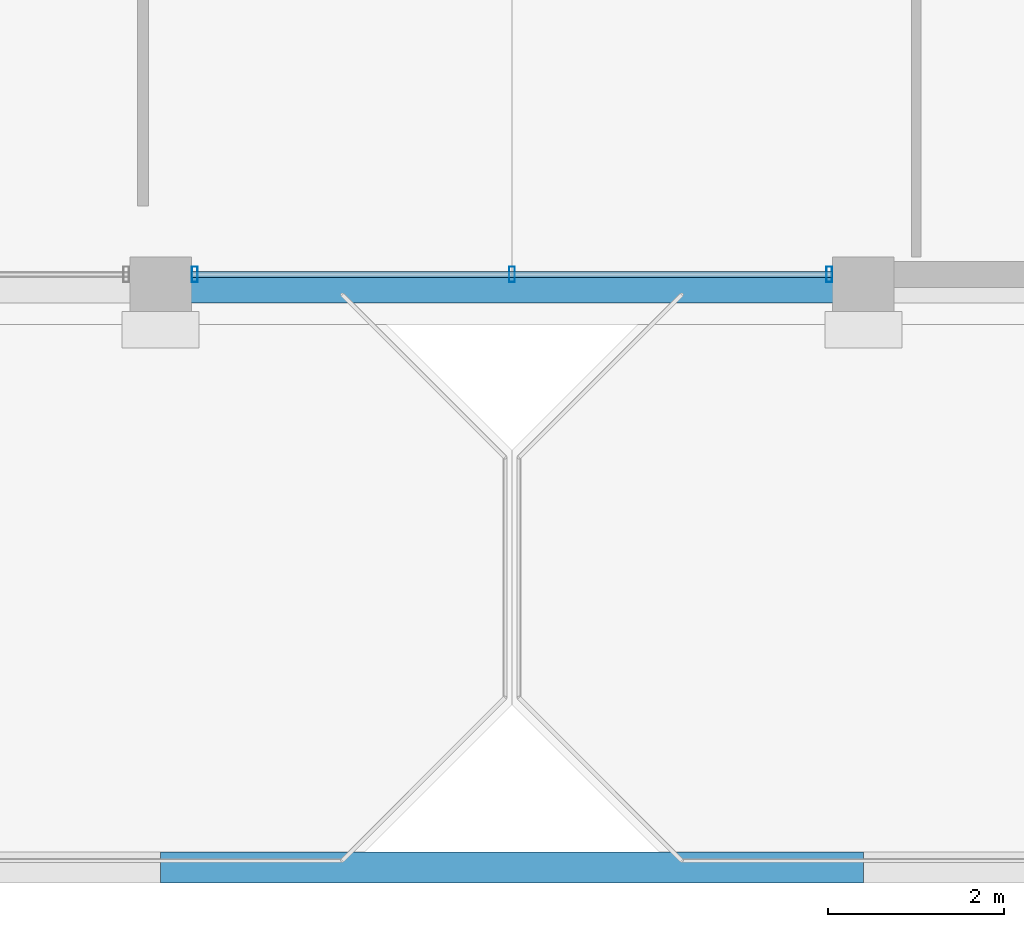
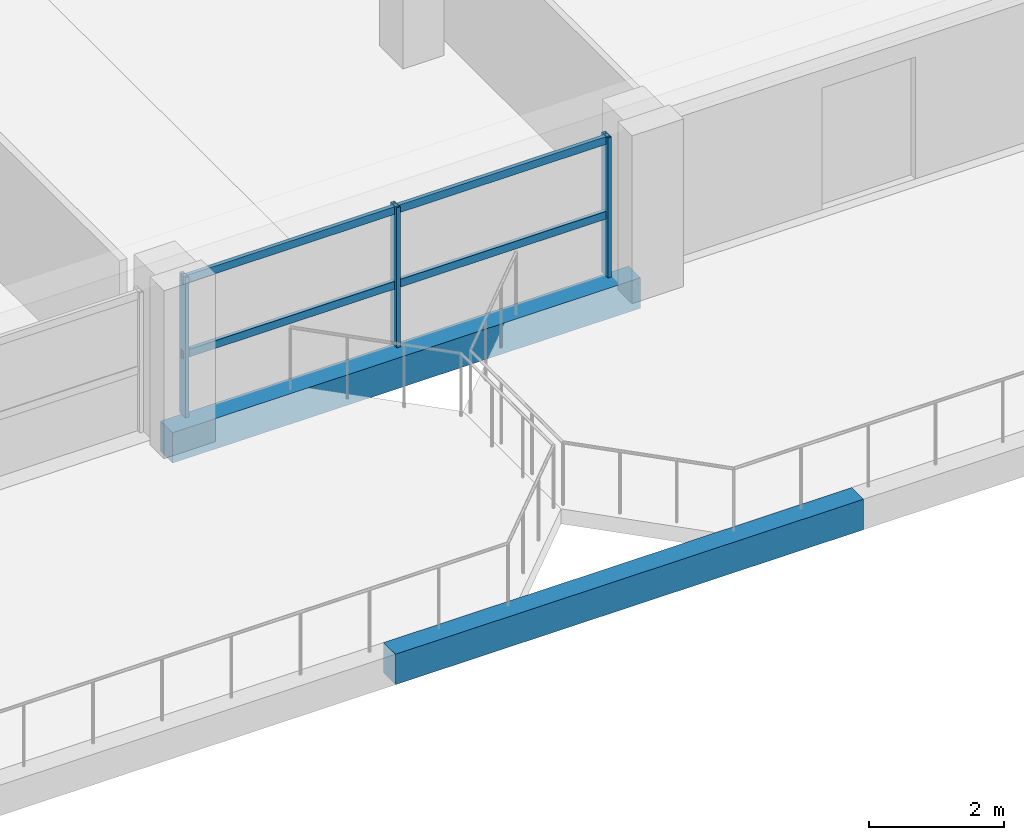
# One storey, part 4 of 21: 5 members, 2 beams, 1 element without a shape of its own.
"""IFC4 building model written with IfcOpenShell, lengths in metres."""

from ifc_helpers import new_model, si_unit, direction, frame, origin, origin_2d, place, context, subcontext, project, spatial, rectangle, hollow_rectangle, extrude, material, material_profile, profile_set, type_object, element, aggregate, save


model = new_model("IFC4")

# Units and contexts
model_context = context("Model", 3, precision=1e-05, world=origin(), true_north=direction((0.0, 1.0)))
body_context = subcontext(model_context, "Body", "Model", "MODEL_VIEW")
ifc_project = project(units=[si_unit("LENGTHUNIT", "METRE"), si_unit("AREAUNIT", "SQUARE_METRE"), si_unit("VOLUMEUNIT", "CUBIC_METRE"), si_unit("PLANEANGLEUNIT", "RADIAN"), si_unit("MASSUNIT", "GRAM", prefix="KILO")], contexts=[model_context])

# Site, building, storey
site_placement = place(None, origin())
site = spatial("IfcSite", under=ifc_project, at=site_placement, CompositionType="ELEMENT")
building_placement = place(site_placement, origin())
building = spatial("IfcBuilding", under=site, at=building_placement, Name="Akrevak Sports Hall", CompositionType="ELEMENT")
storey_placement = place(building_placement, frame((0.0, 0.0, 53.550048828125)))
storey = spatial("IfcBuildingStorey", under=building, at=storey_placement, Name="L13", CompositionType="ELEMENT", Elevation=53.550048828125)

# Curtain wall, members
ifc_material_1 = material(Name="Anodized Bronze Aluminium & Low-E Glass", Category="aluminium")
curtain_wall_type = type_object("IfcCurtainWallType", Name="ARC-CW-TWR-68x30", PredefinedType="NOTDEFINED", material=ifc_material_1)
curtain_wall_placement = place(storey_placement, origin())
curtain_wall = element("IfcCurtainWall", 1, at=curtain_wall_placement, inside=storey, type_object=curtain_wall_type, Name="Curtain Wall CW-L13-S04", PredefinedType="NOTDEFINED")
ifc_material_2 = material(Name="Anodized Bronze Aluminium", Category="aluminium")
ifc_material_profile_1 = material_profile(ifc_material_2, hollow_rectangle(XDim=0.06494140625, YDim=0.179931640625, WallThickness=0.00390625, at=origin_2d()), Name="CWM 65x180", Category="aluminium")
ifc_profile_set_1 = profile_set([ifc_material_profile_1], Name="Anodized Bronze Aluminium")
member_type_1 = type_object("IfcMemberType", Name="ARC-CWM-65x140", PredefinedType="MULLION", material=ifc_profile_set_1)
member_1_placement = place(storey_placement, frame((76.389892578125, 35.550048828125, 0.0), z_axis=(0.0, 0.0, 1.0), x_axis=(1.0, 0.0, 0.0)))
member_1 = element("IfcMember", 2, at=member_1_placement, type_object=member_type_1, Name="Curtain Wall Mullion CW-L13-S04-M1", PredefinedType="MULLION", context=body_context, shape_type="SweptSolid", body=[
    extrude(hollow_rectangle(XDim=0.06494140625, YDim=0.179931640625, WallThickness=0.00390625, at=origin_2d()), origin(), (0.0, 0.0, 1.0), 2.530029296875),
])
member_2_placement = place(storey_placement, frame((80.0, 35.550048828125, 0.0), z_axis=(0.0, 0.0, 1.0), x_axis=(1.0, 0.0, 0.0)))
member_2 = element("IfcMember", 3, at=member_2_placement, type_object=member_type_1, Name="Curtain Wall Mullion CW-L13-S04-M2", PredefinedType="MULLION", context=body_context, shape_type="SweptSolid", body=[
    extrude(hollow_rectangle(XDim=0.06494140625, YDim=0.179931640625, WallThickness=0.00390625, at=origin_2d()), origin(), (0.0, 0.0, 1.0), 2.530029296875),
])
member_3_placement = place(storey_placement, frame((83.610107421875, 35.550048828125, 0.0), z_axis=(0.0, 0.0, 1.0), x_axis=(1.0, 0.0, 0.0)))
member_3 = element("IfcMember", 4, at=member_3_placement, type_object=member_type_1, Name="Curtain Wall Mullion CW-L13-S04-M3", PredefinedType="MULLION", context=body_context, shape_type="SweptSolid", body=[
    extrude(hollow_rectangle(XDim=0.06494140625, YDim=0.179931640625, WallThickness=0.00390625, at=origin_2d()), origin(), (0.0, 0.0, 1.0), 2.530029296875),
])
ifc_material_profile_2 = material_profile(ifc_material_2, hollow_rectangle(XDim=0.06494140625, YDim=0.139892578125, WallThickness=0.00390625, at=origin_2d()), Name="CWT 65x140", Category="aluminium")
ifc_profile_set_2 = profile_set([ifc_material_profile_2], Name="Anodized Bronze Aluminium")
member_type_2 = type_object("IfcMemberType", Name="ARC-CWT-65x110", PredefinedType="USERDEFINED", material=ifc_profile_set_2)
member_4_placement = place(storey_placement, frame((76.35009765625, 35.550048828125, 1.099853515625), z_axis=(1.0, 0.0, 0.0), x_axis=(0.0, 1.0, 0.0)))
member_4 = element("IfcMember", 5, at=member_4_placement, type_object=member_type_2, Name="Curtain Wall Transom CW-L13-S04-T1", ObjectType="TRANSOM", PredefinedType="USERDEFINED", context=body_context, shape_type="SweptSolid", body=[
    extrude(hollow_rectangle(XDim=0.06494140625, YDim=0.139892578125, WallThickness=0.00390625, at=origin_2d()), origin(), (0.0, 0.0, 1.0), 7.2998046875),
])
member_5_placement = place(storey_placement, frame((76.35009765625, 35.550048828125, 2.449951171875), z_axis=(1.0, 0.0, 0.0), x_axis=(0.0, 1.0, 0.0)))
member_5 = element("IfcMember", 6, at=member_5_placement, type_object=member_type_2, Name="Curtain Wall Transom CW-L13-S04-T2", ObjectType="TRANSOM", PredefinedType="USERDEFINED", context=body_context, shape_type="SweptSolid", body=[
    extrude(hollow_rectangle(XDim=0.06494140625, YDim=0.139892578125, WallThickness=0.00390625, at=origin_2d()), origin(), (0.0, 0.0, 1.0), 7.2998046875),
])
aggregate(curtain_wall, [member_1, member_2, member_3, member_4, member_5])

# Beams
ifc_material_3 = material(Name="Concrete C40/50", Category="concrete")
ifc_material_profile_3 = material_profile(ifc_material_3, rectangle(XDim=0.35009765625, YDim=0.550048828125, at=origin_2d()), Name="BM 350x550", Category="concrete")
ifc_profile_set_3 = profile_set([ifc_material_profile_3], Name="Concrete C40/50")
beam_type = type_object("IfcBeamType", Name="STR-BM-RC350x550", PredefinedType="BEAM", material=ifc_profile_set_3)
for number, where, z_axis, x_axis, name in (
    (7, (76.0, 28.800048828125, -0.275146484375), (1.0, 0.0, 0.0), (0.0, 1.0, 0.0), "Girder E/11-12 (L13)"),
    (8, (76.0, 35.39990234375, -0.275146484375), (1.0, 0.0, 0.0), (0.0, 1.0, 0.0), "Girder F/11-12 (L13)"),
):
    element("IfcBeam", number, at=place(storey_placement, frame(where, z_axis=z_axis, x_axis=x_axis)), inside=storey, type_object=beam_type, Name=name, PredefinedType="BEAM", context=body_context, shape_type="SweptSolid", body=[
        extrude(rectangle(XDim=0.35009765625, YDim=0.550048828125, at=origin_2d()), origin(), (0.0, 0.0, 1.0), 8.0),
    ])

save(model, "model.ifc")
